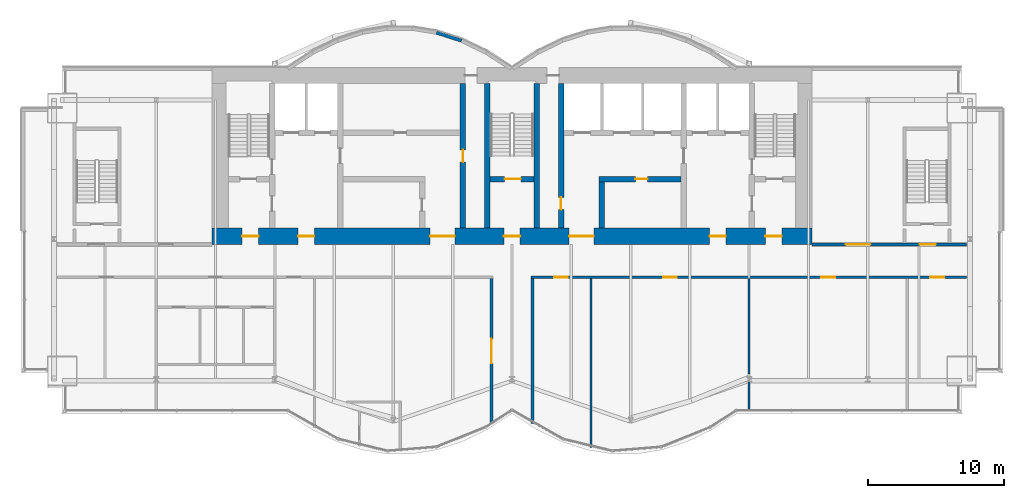
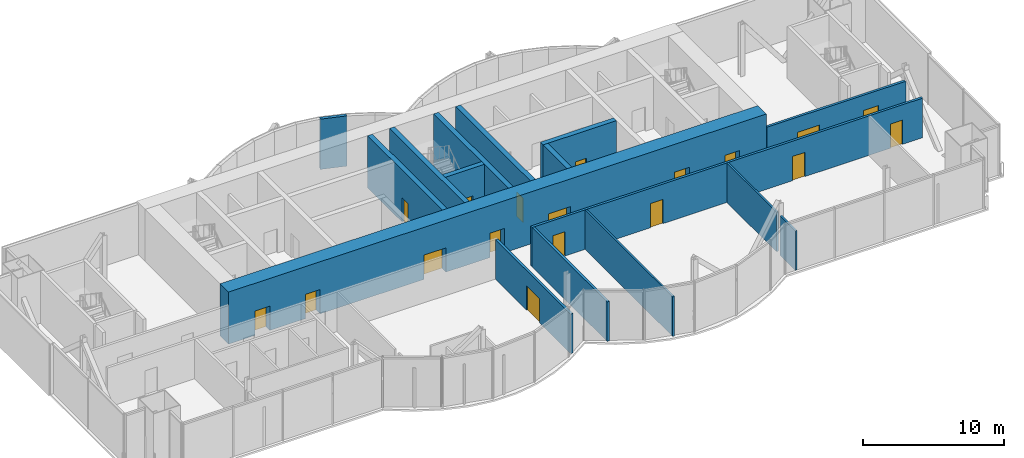
# One storey, part 11 of 16: 18 doors, 16 walls, 18 openings.
"""IFC4 building model written with IfcOpenShell, lengths in metres."""

from ifc_helpers import new_model, si_unit, direction, frame, frame_2d, origin, place, context, subcontext, project, spatial, rectangle, extrude, material, layer, layer_set, layer_usage, type_object, element, fill, save


model = new_model("IFC4")

# Units and contexts
model_context = context("Model", 3, precision=1e-05, world=origin(), true_north=direction((0.0, 1.0)))
body_context = subcontext(model_context, "Body", "Model", "MODEL_VIEW")
ifc_project = project(units=[si_unit("LENGTHUNIT", "METRE"), si_unit("AREAUNIT", "SQUARE_METRE"), si_unit("VOLUMEUNIT", "CUBIC_METRE"), si_unit("PLANEANGLEUNIT", "RADIAN"), si_unit("MASSUNIT", "GRAM", prefix="KILO")], contexts=[model_context])

# Site, building, storey
site_placement = place(None, origin())
site = spatial("IfcSite", under=ifc_project, at=site_placement, CompositionType="ELEMENT")
building_placement = place(site_placement, origin())
building = spatial("IfcBuilding", under=site, at=building_placement, Name="Bicima Exchange Tower", CompositionType="ELEMENT")
storey_placement = place(building_placement, frame((0.0, 0.0, 329.0)))
storey = spatial("IfcBuildingStorey", under=building, at=storey_placement, Name="L74", CompositionType="ELEMENT", Elevation=329.0)

# Wall, openings, doors
ifc_material_1 = material(Name="Gypsum board partition")
ifc_layer_1 = layer(ifc_material_1, 0.199951171875)
ifc_layer_set_1 = layer_set([ifc_layer_1], Name="Gypsum board partition")
wall_type_1 = type_object("IfcWallType", Name="Fire-rated gypsum partition 200 EI60", PredefinedType="PARTITIONING", material=ifc_layer_set_1)
wall_1_placement = place(storey_placement, frame((1.39990234375, -15.39990234375, 0.0), z_axis=(0.0, 0.0, 1.0), x_axis=(1.0, 0.0, 0.0)))
wall_1 = element("IfcWall", 1, at=wall_1_placement, inside=storey, type_object=wall_type_1, Name="partition wall 5", PredefinedType="PARTITIONING", context=body_context, shape_type="SweptSolid", body=[
    extrude(rectangle(XDim=31.940185546875, YDim=0.199951171875, at=frame_2d((15.97021484375, 0.0))), origin(), (0.0, 0.0, 1.0), 3.418212890625),
])
opening_1_placement = place(wall_1_placement, frame((1.699951171875, 0.0, 0.0)))
opening_1 = element("IfcOpeningElement", 2, at=opening_1_placement, cuts=wall_1, Name="Opening L74-014", PredefinedType="OPENING", context=body_context, shape_type="SweptSolid", body=[
    extrude(rectangle(XDim=1.0, YDim=2.10009765625, at=frame_2d((0.5, 1.050048828125))), frame((0.0, 0.11181640625, 0.0), z_axis=(0.0, -1.0, 0.0), x_axis=(1.0, 0.0, 0.0)), (0.0, 0.0, 1.0), 0.223876953125),
])
opening_2_placement = place(wall_1_placement, frame((9.699951171875, 0.0, 0.0)))
opening_2 = element("IfcOpeningElement", 3, at=opening_2_placement, cuts=wall_1, Name="Opening L74-015", PredefinedType="OPENING", context=body_context, shape_type="SweptSolid", body=[
    extrude(rectangle(XDim=1.0, YDim=2.10009765625, at=frame_2d((0.5, 1.050048828125))), frame((0.0, 0.11181640625, 0.0), z_axis=(0.0, -1.0, 0.0), x_axis=(1.0, 0.0, 0.0)), (0.0, 0.0, 1.0), 0.223876953125),
])
opening_3_placement = place(wall_1_placement, frame((21.300048828125, 0.0, 0.0)))
opening_3 = element("IfcOpeningElement", 4, at=opening_3_placement, cuts=wall_1, Name="Opening L74-016", PredefinedType="OPENING", context=body_context, shape_type="SweptSolid", body=[
    extrude(rectangle(XDim=1.0, YDim=2.10009765625, at=frame_2d((0.5, 1.050048828125))), frame((0.0, 0.11181640625, 0.0), z_axis=(0.0, -1.0, 0.0), x_axis=(1.0, 0.0, 0.0)), (0.0, 0.0, 1.0), 0.223876953125),
])
opening_4_placement = place(wall_1_placement, frame((29.300048828125, 0.0, 0.0)))
opening_4 = element("IfcOpeningElement", 5, at=opening_4_placement, cuts=wall_1, Name="Opening L74-017", PredefinedType="OPENING", context=body_context, shape_type="SweptSolid", body=[
    extrude(rectangle(XDim=1.0, YDim=2.10009765625, at=frame_2d((0.5, 1.050048828125))), frame((0.0, 0.11181640625, 0.0), z_axis=(0.0, -1.0, 0.0), x_axis=(1.0, 0.0, 0.0)), (0.0, 0.0, 1.0), 0.223876953125),
])
ifc_material_2 = material(Name="Steel fire door leaf", Category="steel")
door_type_1 = type_object("IfcDoorType", Name="Door 1000 swing FD30S", OperationType="SINGLE_SWING_LEFT", PredefinedType="DOOR", material=ifc_material_2)
door_1_placement = place(opening_1_placement, frame((1.0, 0.0, 0.0), z_axis=(0.0, 0.0, 1.0), x_axis=(-1.0, 0.0, 0.0)))
door_1 = element("IfcDoor", 6, at=door_1_placement, inside=storey, type_object=door_type_1, Name="Door", OperationType="SINGLE_SWING_RIGHT", OverallHeight=2.10009765625, OverallWidth=1.0, PredefinedType="DOOR", context=body_context, shape_type="SweptSolid", body=[
    extrude(rectangle(XDim=1.0, YDim=2.10009765625, at=frame_2d((0.5, 1.050048828125))), frame((0.0, 0.02490234375, 0.0), z_axis=(0.0, -1.0, 0.0), x_axis=(1.0, 0.0, 0.0)), (0.0, 0.0, 1.0), 0.050048828125),
])
fill(opening_1, door_1)
door_2_placement = place(opening_2_placement, frame((1.0, 0.0, 0.0), z_axis=(0.0, 0.0, 1.0), x_axis=(-1.0, 0.0, 0.0)))
door_2 = element("IfcDoor", 7, at=door_2_placement, inside=storey, type_object=door_type_1, Name="Door", OperationType="SINGLE_SWING_RIGHT", OverallHeight=2.10009765625, OverallWidth=1.0, PredefinedType="DOOR", context=body_context, shape_type="SweptSolid", body=[
    extrude(rectangle(XDim=1.0, YDim=2.10009765625, at=frame_2d((0.5, 1.050048828125))), frame((0.0, 0.02490234375, 0.0), z_axis=(0.0, -1.0, 0.0), x_axis=(1.0, 0.0, 0.0)), (0.0, 0.0, 1.0), 0.050048828125),
])
fill(opening_2, door_2)
door_3_placement = place(opening_3_placement, frame((1.0, 0.0, 0.0), z_axis=(0.0, 0.0, 1.0), x_axis=(-1.0, 0.0, 0.0)))
door_3 = element("IfcDoor", 8, at=door_3_placement, inside=storey, type_object=door_type_1, Name="Door", OperationType="SINGLE_SWING_LEFT", OverallHeight=2.10009765625, OverallWidth=1.0, PredefinedType="DOOR", context=body_context, shape_type="SweptSolid", body=[
    extrude(rectangle(XDim=1.0, YDim=2.10009765625, at=frame_2d((0.5, 1.050048828125))), frame((0.0, 0.02490234375, 0.0), z_axis=(0.0, -1.0, 0.0), x_axis=(1.0, 0.0, 0.0)), (0.0, 0.0, 1.0), 0.050048828125),
])
fill(opening_3, door_3)
door_4_placement = place(opening_4_placement, frame((1.0, 0.0, 0.0), z_axis=(0.0, 0.0, 1.0), x_axis=(-1.0, 0.0, 0.0)))
door_4 = element("IfcDoor", 9, at=door_4_placement, inside=storey, type_object=door_type_1, Name="Door", OperationType="SINGLE_SWING_RIGHT", OverallHeight=2.10009765625, OverallWidth=1.0, PredefinedType="DOOR", context=body_context, shape_type="SweptSolid", body=[
    extrude(rectangle(XDim=1.0, YDim=2.10009765625, at=frame_2d((0.5, 1.050048828125))), frame((0.0, 0.02490234375, 0.0), z_axis=(0.0, -1.0, 0.0), x_axis=(1.0, 0.0, 0.0)), (0.0, 0.0, 1.0), 0.050048828125),
])
fill(opening_4, door_4)

wall_2_placement = place(storey_placement, frame((22.0, -13.0, 0.0), z_axis=(0.0, 0.0, 1.0), x_axis=(1.0, 0.0, 0.0)))
wall_2 = element("IfcWall", 10, at=wall_2_placement, inside=storey, type_object=wall_type_1, Name="partition wall 7", PredefinedType="PARTITIONING", context=body_context, shape_type="SweptSolid", body=[
    extrude(rectangle(XDim=11.340087890625, YDim=0.199951171875, at=frame_2d((5.669921875, 0.0))), origin(), (0.0, 0.0, 1.0), 3.418212890625),
])
opening_5_placement = place(wall_2_placement, frame((7.89990234375, 0.0, 0.0)))
opening_5 = element("IfcOpeningElement", 11, at=opening_5_placement, cuts=wall_2, Name="Opening L74-003", PredefinedType="OPENING", context=body_context, shape_type="SweptSolid", body=[
    extrude(rectangle(XDim=1.199951171875, YDim=2.10009765625, at=frame_2d((0.60009765625, 1.050048828125))), frame((0.0, 0.11181640625, 0.0), z_axis=(0.0, -1.0, 0.0), x_axis=(1.0, 0.0, 0.0)), (0.0, 0.0, 1.0), 0.223876953125),
])
opening_6_placement = place(wall_2_placement, frame((2.5, 0.0, 0.0)))
opening_6 = element("IfcOpeningElement", 12, at=opening_6_placement, cuts=wall_2, Name="Opening L74-006", PredefinedType="OPENING", context=body_context, shape_type="SweptSolid", body=[
    extrude(rectangle(XDim=1.800048828125, YDim=2.10009765625, at=frame_2d((0.89990234375, 1.050048828125))), frame((0.0, 0.11181640625, 0.0), z_axis=(0.0, -1.0, 0.0), x_axis=(1.0, 0.0, 0.0)), (0.0, 0.0, 1.0), 0.223876953125),
])
door_type_2 = type_object("IfcDoorType", Name="Door 1200 swing FD30S", OperationType="SINGLE_SWING_LEFT", PredefinedType="DOOR", material=ifc_material_2)
door_5_placement = place(opening_5_placement, origin())
door_5 = element("IfcDoor", 13, at=door_5_placement, inside=storey, type_object=door_type_2, Name="Door", OperationType="SINGLE_SWING_RIGHT", OverallHeight=2.10009765625, OverallWidth=1.199951171875, PredefinedType="DOOR", context=body_context, shape_type="SweptSolid", body=[
    extrude(rectangle(XDim=1.199951171875, YDim=2.10009765625, at=frame_2d((0.60009765625, 1.050048828125))), frame((0.0, 0.02490234375, 0.0), z_axis=(0.0, -1.0, 0.0), x_axis=(1.0, 0.0, 0.0)), (0.0, 0.0, 1.0), 0.050048828125),
])
fill(opening_5, door_5)
door_type_3 = type_object("IfcDoorType", Name="Door 1800 double swing FD30S", OperationType="DOUBLE_DOOR_SINGLE_SWING", PredefinedType="DOOR", material=ifc_material_2)
door_6_placement = place(opening_6_placement, origin())
door_6 = element("IfcDoor", 14, at=door_6_placement, inside=storey, type_object=door_type_3, Name="Door", OperationType="SINGLE_SWING_LEFT", OverallHeight=2.10009765625, OverallWidth=1.800048828125, PredefinedType="DOOR", context=body_context, shape_type="SweptSolid", body=[
    extrude(rectangle(XDim=1.800048828125, YDim=2.10009765625, at=frame_2d((0.89990234375, 1.050048828125))), frame((0.0, 0.02490234375, 0.0), z_axis=(0.0, -1.0, 0.0), x_axis=(1.0, 0.0, 0.0)), (0.0, 0.0, 1.0), 0.050048828125),
])
fill(opening_6, door_6)

# Wall, opening, door
wall_3_placement = place(storey_placement, frame((-1.5, -26.1298828125, 0.0), z_axis=(0.0, 0.0, 1.0), x_axis=(0.0, 1.0, 0.0)))
wall_3 = element("IfcWall", 15, at=wall_3_placement, inside=storey, type_object=wall_type_1, Name="partition wall 22", PredefinedType="PARTITIONING", context=body_context, shape_type="SweptSolid", body=[
    extrude(rectangle(XDim=10.6298828125, YDim=0.199951171875, at=frame_2d((5.31494140625, 0.0))), origin(), (0.0, 0.0, 1.0), 3.418212890625),
])
opening_7_placement = place(wall_3_placement, frame((4.39990234375, 0.0, 0.0)))
opening_7 = element("IfcOpeningElement", 16, at=opening_7_placement, cuts=wall_3, Name="Opening L74-013", PredefinedType="OPENING", context=body_context, shape_type="SweptSolid", body=[
    extrude(rectangle(XDim=1.800048828125, YDim=2.10009765625, at=frame_2d((0.89990234375, 1.050048828125))), frame((0.0, 0.11181640625, 0.0), z_axis=(0.0, -1.0, 0.0), x_axis=(1.0, 0.0, 0.0)), (0.0, 0.0, 1.0), 0.223876953125),
])
door_7_placement = place(opening_7_placement, origin())
door_7 = element("IfcDoor", 17, at=door_7_placement, inside=storey, type_object=door_type_3, Name="Door", OperationType="SINGLE_SWING_LEFT", OverallHeight=2.10009765625, OverallWidth=1.800048828125, PredefinedType="DOOR", context=body_context, shape_type="SweptSolid", body=[
    extrude(rectangle(XDim=1.800048828125, YDim=2.10009765625, at=frame_2d((0.89990234375, 1.050048828125))), frame((0.0, 0.02490234375, 0.0), z_axis=(0.0, -1.0, 0.0), x_axis=(1.0, 0.0, 0.0)), (0.0, 0.0, 1.0), 0.050048828125),
])
fill(opening_7, door_7)

# Walls
wall_4_placement = place(storey_placement, frame((1.5, -26.1298828125, 0.0), z_axis=(0.0, 0.0, 1.0), x_axis=(0.0, 1.0, 0.0)))
element("IfcWall", 18, at=wall_4_placement, inside=storey, type_object=wall_type_1, Name="partition wall 23", PredefinedType="PARTITIONING", context=body_context, shape_type="SweptSolid", body=[
    extrude(rectangle(XDim=10.6298828125, YDim=0.199951171875, at=frame_2d((5.31494140625, 0.0))), origin(), (0.0, 0.0, 1.0), 3.418212890625),
])
ifc_layer_2 = layer(ifc_material_1, 0.14990234375)
ifc_layer_set_2 = layer_set([ifc_layer_2], Name="Gypsum board partition")
wall_type_2 = type_object("IfcWallType", Name="Gypsum partition 150", PredefinedType="PARTITIONING", material=ifc_layer_set_2)
wall_5_placement = place(storey_placement, frame((5.800048828125, -27.909912109375, 0.0), z_axis=(0.0, 0.0, 1.0), x_axis=(0.0, 1.0, 0.0)))
element("IfcWall", 19, at=wall_5_placement, inside=storey, type_object=wall_type_2, Name="partition wall 24", PredefinedType="PARTITIONING", context=body_context, shape_type="SweptSolid", body=[
    extrude(rectangle(XDim=12.409912109375, YDim=0.14990234375, at=frame_2d((6.205078125, 0.0))), origin(), (0.0, 0.0, 1.0), 3.418212890625),
])
wall_6_placement = place(storey_placement, frame((17.39990234375, -25.199951171875, 0.0), z_axis=(0.0, 0.0, 1.0), x_axis=(0.0, 1.0, 0.0)))
element("IfcWall", 20, at=wall_6_placement, inside=storey, type_object=wall_type_2, Name="partition wall 25", PredefinedType="PARTITIONING", context=body_context, shape_type="SweptSolid", body=[
    extrude(rectangle(XDim=2.192138671875, YDim=0.14990234375, at=frame_2d((1.09619140625, 0.0))), origin(), (0.0, 0.0, 1.0), 3.418212890625),
])
wall_7_placement = place(storey_placement, frame((17.39990234375, -22.52001953125, 0.0), z_axis=(0.0, 0.0, 1.0), x_axis=(0.0, 1.0, 0.0)))
element("IfcWall", 21, at=wall_7_placement, inside=storey, type_object=wall_type_2, Name="partition wall 26", PredefinedType="PARTITIONING", context=body_context, shape_type="SweptSolid", body=[
    extrude(rectangle(XDim=7.02001953125, YDim=0.14990234375, at=frame_2d((3.510009765625, 0.0))), origin(), (0.0, 0.0, 1.0), 3.418212890625),
])

# Wall, openings, doors
ifc_material_3 = material(Name="Concrete C40/50", Category="concrete")
ifc_layer_3 = layer(ifc_material_3, 1.199951171875)
ifc_layer_set_3 = layer_set([ifc_layer_3], Name="Concrete C40/50")
wall_type_3 = type_object("IfcWallType", Name="RC core wall 1200 C40/50", PredefinedType="SHEAR", material=ifc_layer_set_3)
wall_8_placement = place(storey_placement, frame((-22.0, -12.39990234375, 0.0), z_axis=(0.0, 0.0, 1.0), x_axis=(1.0, 0.0, 0.0)))
wall_8 = element("IfcWall", 22, at=wall_8_placement, inside=storey, type_object=wall_type_3, Name="Core wall south", PredefinedType="SHEAR", context=body_context, shape_type="SweptSolid", body=[
    extrude(rectangle(XDim=44.0, YDim=1.199951171875, at=frame_2d((22.0, 0.0))), origin(), (0.0, 0.0, 1.0), 4.5),
])
opening_8_placement = place(wall_8_placement, frame((2.199951171875, 0.0, 0.0)))
opening_8 = element("IfcOpeningElement", 23, at=opening_8_placement, cuts=wall_8, Name="Opening L74-C17", PredefinedType="OPENING", context=body_context, shape_type="SweptSolid", body=[
    extrude(rectangle(XDim=1.199951171875, YDim=2.10009765625, at=frame_2d((0.60009765625, 1.050048828125))), frame((0.0, 0.61181640625, 0.0), z_axis=(0.0, -1.0, 0.0), x_axis=(1.0, 0.0, 0.0)), (0.0, 0.0, 1.0), 1.223876953125),
])
opening_9_placement = place(wall_8_placement, frame((21.39990234375, 0.0, 0.0)))
opening_9 = element("IfcOpeningElement", 24, at=opening_9_placement, cuts=wall_8, Name="Opening L74-C18", PredefinedType="OPENING", context=body_context, shape_type="SweptSolid", body=[
    extrude(rectangle(XDim=1.199951171875, YDim=2.10009765625, at=frame_2d((0.60009765625, 1.050048828125))), frame((0.0, 0.61181640625, 0.0), z_axis=(0.0, -1.0, 0.0), x_axis=(1.0, 0.0, 0.0)), (0.0, 0.0, 1.0), 1.223876953125),
])
opening_10_placement = place(wall_8_placement, frame((40.60009765625, 0.0, 0.0)))
opening_10 = element("IfcOpeningElement", 25, at=opening_10_placement, cuts=wall_8, Name="Opening L74-C19", PredefinedType="OPENING", context=body_context, shape_type="SweptSolid", body=[
    extrude(rectangle(XDim=1.199951171875, YDim=2.10009765625, at=frame_2d((0.60009765625, 1.050048828125))), frame((0.0, 0.61181640625, 0.0), z_axis=(0.0, -1.0, 0.0), x_axis=(1.0, 0.0, 0.0)), (0.0, 0.0, 1.0), 1.223876953125),
])
opening_11_placement = place(wall_8_placement, frame((16.0, 0.0, 0.0)))
opening_11 = element("IfcOpeningElement", 26, at=opening_11_placement, cuts=wall_8, Name="Opening L74-C20", PredefinedType="OPENING", context=body_context, shape_type="SweptSolid", body=[
    extrude(rectangle(XDim=1.800048828125, YDim=2.10009765625, at=frame_2d((0.89990234375, 1.050048828125))), frame((0.0, 0.61181640625, 0.0), z_axis=(0.0, -1.0, 0.0), x_axis=(1.0, 0.0, 0.0)), (0.0, 0.0, 1.0), 1.223876953125),
])
opening_12_placement = place(wall_8_placement, frame((6.300048828125, 0.0, 0.0)))
opening_12 = element("IfcOpeningElement", 27, at=opening_12_placement, cuts=wall_8, Name="Opening L74-C21", PredefinedType="OPENING", context=body_context, shape_type="SweptSolid", body=[
    extrude(rectangle(XDim=1.199951171875, YDim=2.10009765625, at=frame_2d((0.60009765625, 1.050048828125))), frame((0.0, 0.61181640625, 0.0), z_axis=(0.0, -1.0, 0.0), x_axis=(1.0, 0.0, 0.0)), (0.0, 0.0, 1.0), 1.223876953125),
])
opening_13_placement = place(wall_8_placement, frame((26.199951171875, 0.0, 0.0)))
opening_13 = element("IfcOpeningElement", 28, at=opening_13_placement, cuts=wall_8, Name="Opening L74-C22", PredefinedType="OPENING", context=body_context, shape_type="SweptSolid", body=[
    extrude(rectangle(XDim=1.800048828125, YDim=2.10009765625, at=frame_2d((0.89990234375, 1.050048828125))), frame((0.0, 0.61181640625, 0.0), z_axis=(0.0, -1.0, 0.0), x_axis=(1.0, 0.0, 0.0)), (0.0, 0.0, 1.0), 1.223876953125),
])
opening_14_placement = place(wall_8_placement, frame((36.5, 0.0, 0.0)))
opening_14 = element("IfcOpeningElement", 29, at=opening_14_placement, cuts=wall_8, Name="Opening L74-C23", PredefinedType="OPENING", context=body_context, shape_type="SweptSolid", body=[
    extrude(rectangle(XDim=1.199951171875, YDim=2.10009765625, at=frame_2d((0.60009765625, 1.050048828125))), frame((0.0, 0.61181640625, 0.0), z_axis=(0.0, -1.0, 0.0), x_axis=(1.0, 0.0, 0.0)), (0.0, 0.0, 1.0), 1.223876953125),
])
door_type_4 = type_object("IfcDoorType", Name="Door 1200 swing FD60S", OperationType="SINGLE_SWING_LEFT", PredefinedType="DOOR", material=ifc_material_2)
door_8_placement = place(opening_8_placement, frame((1.199951171875, 0.0, 0.0), z_axis=(0.0, 0.0, 1.0), x_axis=(-1.0, 0.0, 0.0)))
door_8 = element("IfcDoor", 30, at=door_8_placement, inside=storey, type_object=door_type_4, Name="Core door", OperationType="SINGLE_SWING_RIGHT", OverallHeight=2.10009765625, OverallWidth=1.199951171875, PredefinedType="DOOR", context=body_context, shape_type="SweptSolid", body=[
    extrude(rectangle(XDim=1.199951171875, YDim=2.10009765625, at=frame_2d((0.60009765625, 1.050048828125))), frame((0.0, 0.02490234375, 0.0), z_axis=(0.0, -1.0, 0.0), x_axis=(1.0, 0.0, 0.0)), (0.0, 0.0, 1.0), 0.050048828125),
])
fill(opening_8, door_8)
door_9_placement = place(opening_9_placement, frame((1.199951171875, 0.0, 0.0), z_axis=(0.0, 0.0, 1.0), x_axis=(-1.0, 0.0, 0.0)))
door_9 = element("IfcDoor", 31, at=door_9_placement, inside=storey, type_object=door_type_4, Name="Core door", OperationType="SINGLE_SWING_RIGHT", OverallHeight=2.10009765625, OverallWidth=1.199951171875, PredefinedType="DOOR", context=body_context, shape_type="SweptSolid", body=[
    extrude(rectangle(XDim=1.199951171875, YDim=2.10009765625, at=frame_2d((0.60009765625, 1.050048828125))), frame((0.0, 0.02490234375, 0.0), z_axis=(0.0, -1.0, 0.0), x_axis=(1.0, 0.0, 0.0)), (0.0, 0.0, 1.0), 0.050048828125),
])
fill(opening_9, door_9)
door_10_placement = place(opening_10_placement, frame((1.199951171875, 0.0, 0.0), z_axis=(0.0, 0.0, 1.0), x_axis=(-1.0, 0.0, 0.0)))
door_10 = element("IfcDoor", 32, at=door_10_placement, inside=storey, type_object=door_type_4, Name="Core door", OperationType="SINGLE_SWING_RIGHT", OverallHeight=2.10009765625, OverallWidth=1.199951171875, PredefinedType="DOOR", context=body_context, shape_type="SweptSolid", body=[
    extrude(rectangle(XDim=1.199951171875, YDim=2.10009765625, at=frame_2d((0.60009765625, 1.050048828125))), frame((0.0, 0.02490234375, 0.0), z_axis=(0.0, -1.0, 0.0), x_axis=(1.0, 0.0, 0.0)), (0.0, 0.0, 1.0), 0.050048828125),
])
fill(opening_10, door_10)
door_11_placement = place(opening_12_placement, frame((1.199951171875, 0.0, 0.0), z_axis=(0.0, 0.0, 1.0), x_axis=(-1.0, 0.0, 0.0)))
door_11 = element("IfcDoor", 33, at=door_11_placement, inside=storey, type_object=door_type_4, Name="Core door", OperationType="SINGLE_SWING_RIGHT", OverallHeight=2.10009765625, OverallWidth=1.199951171875, PredefinedType="DOOR", context=body_context, shape_type="SweptSolid", body=[
    extrude(rectangle(XDim=1.199951171875, YDim=2.10009765625, at=frame_2d((0.60009765625, 1.050048828125))), frame((0.0, 0.02490234375, 0.0), z_axis=(0.0, -1.0, 0.0), x_axis=(1.0, 0.0, 0.0)), (0.0, 0.0, 1.0), 0.050048828125),
])
fill(opening_12, door_11)
door_12_placement = place(opening_14_placement, frame((1.199951171875, 0.0, 0.0), z_axis=(0.0, 0.0, 1.0), x_axis=(-1.0, 0.0, 0.0)))
door_12 = element("IfcDoor", 34, at=door_12_placement, inside=storey, type_object=door_type_4, Name="Core door", OperationType="SINGLE_SWING_RIGHT", OverallHeight=2.10009765625, OverallWidth=1.199951171875, PredefinedType="DOOR", context=body_context, shape_type="SweptSolid", body=[
    extrude(rectangle(XDim=1.199951171875, YDim=2.10009765625, at=frame_2d((0.60009765625, 1.050048828125))), frame((0.0, 0.02490234375, 0.0), z_axis=(0.0, -1.0, 0.0), x_axis=(1.0, 0.0, 0.0)), (0.0, 0.0, 1.0), 0.050048828125),
])
fill(opening_14, door_12)
door_13_placement = place(opening_11_placement, origin())
door_13 = element("IfcDoor", 35, at=door_13_placement, inside=storey, type_object=door_type_3, Name="Core door", OperationType="SINGLE_SWING_LEFT", OverallHeight=2.10009765625, OverallWidth=1.800048828125, PredefinedType="DOOR", context=body_context, shape_type="SweptSolid", body=[
    extrude(rectangle(XDim=1.800048828125, YDim=2.10009765625, at=frame_2d((0.89990234375, 1.050048828125))), frame((0.0, 0.02490234375, 0.0), z_axis=(0.0, -1.0, 0.0), x_axis=(1.0, 0.0, 0.0)), (0.0, 0.0, 1.0), 0.050048828125),
])
fill(opening_11, door_13)
door_14_placement = place(opening_13_placement, origin())
door_14 = element("IfcDoor", 36, at=door_14_placement, inside=storey, type_object=door_type_3, Name="Core door", OperationType="SINGLE_SWING_LEFT", OverallHeight=2.10009765625, OverallWidth=1.800048828125, PredefinedType="DOOR", context=body_context, shape_type="SweptSolid", body=[
    extrude(rectangle(XDim=1.800048828125, YDim=2.10009765625, at=frame_2d((0.89990234375, 1.050048828125))), frame((0.0, 0.02490234375, 0.0), z_axis=(0.0, -1.0, 0.0), x_axis=(1.0, 0.0, 0.0)), (0.0, 0.0, 1.0), 0.050048828125),
])
fill(opening_13, door_14)

# Wall, opening, door
ifc_layer_4 = layer(ifc_material_3, 0.39990234375)
ifc_layer_set_4 = layer_set([ifc_layer_4], Name="Concrete C40/50")
wall_type_4 = type_object("IfcWallType", Name="RC core wall 400 C40/50", PredefinedType="SHEAR", material=ifc_layer_set_4)
wall_9_placement = place(storey_placement, frame((6.39990234375, -8.199951171875, 0.0), z_axis=(0.0, 0.0, 1.0), x_axis=(1.0, 0.0, 0.0)))
wall_9 = element("IfcWall", 37, at=wall_9_placement, inside=storey, type_object=wall_type_4, Name="shear wall 4", PredefinedType="SHEAR", context=body_context, shape_type="SweptSolid", body=[
    extrude(rectangle(XDim=6.0, YDim=0.39990234375, at=frame_2d((3.0, 0.0))), origin(), (0.0, 0.0, 1.0), 4.5),
])
opening_15_placement = place(wall_9_placement, frame((2.64990234375, 0.0, 0.0)))
opening_15 = element("IfcOpeningElement", 38, at=opening_15_placement, cuts=wall_9, Name="Opening L74-C14", PredefinedType="OPENING", context=body_context, shape_type="SweptSolid", body=[
    extrude(rectangle(XDim=0.89990234375, YDim=2.10009765625, at=frame_2d((0.449951171875, 1.050048828125))), frame((0.0, 0.2119140625, 0.0), z_axis=(0.0, -1.0, 0.0), x_axis=(1.0, 0.0, 0.0)), (0.0, 0.0, 1.0), 0.423828125),
])
door_type_5 = type_object("IfcDoorType", Name="Door 900 swing FD30S", OperationType="SINGLE_SWING_LEFT", PredefinedType="DOOR", material=ifc_material_2)
door_15_placement = place(opening_15_placement, frame((0.89990234375, 0.0, 0.0), z_axis=(0.0, 0.0, 1.0), x_axis=(-1.0, 0.0, 0.0)))
door_15 = element("IfcDoor", 39, at=door_15_placement, inside=storey, type_object=door_type_5, Name="Core door", OperationType="SINGLE_SWING_LEFT", OverallHeight=2.10009765625, OverallWidth=0.89990234375, PredefinedType="DOOR", context=body_context, shape_type="SweptSolid", body=[
    extrude(rectangle(XDim=0.89990234375, YDim=2.10009765625, at=frame_2d((0.449951171875, 1.050048828125))), frame((0.0, 0.02490234375, 0.0), z_axis=(0.0, -1.0, 0.0), x_axis=(1.0, 0.0, 0.0)), (0.0, 0.0, 1.0), 0.050048828125),
])
fill(opening_15, door_15)

wall_10_placement = place(storey_placement, frame((-3.60009765625, -11.800048828125, 0.0), z_axis=(0.0, 0.0, 1.0), x_axis=(0.0, 1.0, 0.0)))
wall_10 = element("IfcWall", 40, at=wall_10_placement, inside=storey, type_object=wall_type_4, Name="shear wall 12", PredefinedType="SHEAR", context=body_context, shape_type="SweptSolid", body=[
    extrude(rectangle(XDim=10.60009765625, YDim=0.39990234375, at=frame_2d((5.300048828125, 0.0))), origin(), (0.0, 0.0, 1.0), 4.5),
])
opening_16_placement = place(wall_10_placement, frame((4.85009765625, 0.0, 0.0)))
opening_16 = element("IfcOpeningElement", 41, at=opening_16_placement, cuts=wall_10, Name="Opening L74-C10", PredefinedType="OPENING", context=body_context, shape_type="SweptSolid", body=[
    extrude(rectangle(XDim=0.89990234375, YDim=2.10009765625, at=frame_2d((0.449951171875, 1.050048828125))), frame((0.0, 0.2119140625, 0.0), z_axis=(0.0, -1.0, 0.0), x_axis=(1.0, 0.0, 0.0)), (0.0, 0.0, 1.0), 0.423828125),
])
door_16_placement = place(opening_16_placement, frame((0.89990234375, 0.0, 0.0), z_axis=(0.0, 0.0, 1.0), x_axis=(-1.0, 0.0, 0.0)))
door_16 = element("IfcDoor", 42, at=door_16_placement, inside=storey, type_object=door_type_5, Name="Core door", OperationType="SINGLE_SWING_LEFT", OverallHeight=2.10009765625, OverallWidth=0.89990234375, PredefinedType="DOOR", context=body_context, shape_type="SweptSolid", body=[
    extrude(rectangle(XDim=0.89990234375, YDim=2.10009765625, at=frame_2d((0.449951171875, 1.050048828125))), frame((0.0, 0.02490234375, 0.0), z_axis=(0.0, -1.0, 0.0), x_axis=(1.0, 0.0, 0.0)), (0.0, 0.0, 1.0), 0.050048828125),
])
fill(opening_16, door_16)

wall_11_placement = place(storey_placement, frame((3.60009765625, -11.800048828125, 0.0), z_axis=(0.0, 0.0, 1.0), x_axis=(0.0, 1.0, 0.0)))
wall_11 = element("IfcWall", 43, at=wall_11_placement, inside=storey, type_object=wall_type_4, Name="shear wall 15", PredefinedType="SHEAR", context=body_context, shape_type="SweptSolid", body=[
    extrude(rectangle(XDim=10.60009765625, YDim=0.39990234375, at=frame_2d((5.300048828125, 0.0))), origin(), (0.0, 0.0, 1.0), 4.5),
])
opening_17_placement = place(wall_11_placement, frame((1.35009765625, 0.0, 0.0)))
opening_17 = element("IfcOpeningElement", 44, at=opening_17_placement, cuts=wall_11, Name="Opening L74-C11", PredefinedType="OPENING", context=body_context, shape_type="SweptSolid", body=[
    extrude(rectangle(XDim=0.89990234375, YDim=2.10009765625, at=frame_2d((0.449951171875, 1.050048828125))), frame((0.0, 0.2119140625, 0.0), z_axis=(0.0, -1.0, 0.0), x_axis=(1.0, 0.0, 0.0)), (0.0, 0.0, 1.0), 0.423828125),
])
door_17_placement = place(opening_17_placement, origin())
door_17 = element("IfcDoor", 45, at=door_17_placement, inside=storey, type_object=door_type_5, Name="Core door", OperationType="SINGLE_SWING_LEFT", OverallHeight=2.10009765625, OverallWidth=0.89990234375, PredefinedType="DOOR", context=body_context, shape_type="SweptSolid", body=[
    extrude(rectangle(XDim=0.89990234375, YDim=2.10009765625, at=frame_2d((0.449951171875, 1.050048828125))), frame((0.0, 0.02490234375, 0.0), z_axis=(0.0, -1.0, 0.0), x_axis=(1.0, 0.0, 0.0)), (0.0, 0.0, 1.0), 0.050048828125),
])
fill(opening_17, door_17)

# Wall
wall_12_placement = place(storey_placement, frame((6.60009765625, -11.800048828125, 0.0), z_axis=(0.0, 0.0, 1.0), x_axis=(0.0, 1.0, 0.0)))
element("IfcWall", 46, at=wall_12_placement, inside=storey, type_object=wall_type_4, Name="shear wall 16", PredefinedType="SHEAR", context=body_context, shape_type="SweptSolid", body=[
    extrude(rectangle(XDim=3.400146484375, YDim=0.39990234375, at=frame_2d((1.7001953125, 0.0))), origin(), (0.0, 0.0, 1.0), 4.5),
])

# Wall, opening, door
ifc_material_4 = material(Name="Concrete C50/60", Category="concrete")
ifc_layer_5 = layer(ifc_material_4, 0.39990234375)
ifc_layer_set_5 = layer_set([ifc_layer_5], Name="Concrete C50/60")
wall_type_5 = type_object("IfcWallType", Name="RC core wall 400 C50/60", PredefinedType="SHEAR", material=ifc_layer_set_5)
wall_13_placement = place(storey_placement, frame((-1.60009765625, -8.199951171875, 0.0), z_axis=(0.0, 0.0, 1.0), x_axis=(1.0, 0.0, 0.0)))
wall_13 = element("IfcWall", 47, at=wall_13_placement, inside=storey, type_object=wall_type_5, Name="stair wall 3", PredefinedType="SHEAR", context=body_context, shape_type="SweptSolid", body=[
    extrude(rectangle(XDim=3.2001953125, YDim=0.39990234375, at=frame_2d((1.60009765625, 0.0))), origin(), (0.0, 0.0, 1.0), 4.5),
])
opening_18_placement = place(wall_13_placement, frame((1.050048828125, 0.0, 0.0)))
opening_18 = element("IfcOpeningElement", 48, at=opening_18_placement, cuts=wall_13, Name="Opening L74-C03", PredefinedType="OPENING", context=body_context, shape_type="SweptSolid", body=[
    extrude(rectangle(XDim=1.199951171875, YDim=2.10009765625, at=frame_2d((0.60009765625, 1.050048828125))), frame((0.0, 0.2119140625, 0.0), z_axis=(0.0, -1.0, 0.0), x_axis=(1.0, 0.0, 0.0)), (0.0, 0.0, 1.0), 0.423828125),
])
door_18_placement = place(opening_18_placement, origin())
door_18 = element("IfcDoor", 49, at=door_18_placement, inside=storey, type_object=door_type_4, Name="Core door", OperationType="SINGLE_SWING_LEFT", OverallHeight=2.10009765625, OverallWidth=1.199951171875, PredefinedType="DOOR", context=body_context, shape_type="SweptSolid", body=[
    extrude(rectangle(XDim=1.199951171875, YDim=2.10009765625, at=frame_2d((0.60009765625, 1.050048828125))), frame((0.0, 0.02490234375, 0.0), z_axis=(0.0, -1.0, 0.0), x_axis=(1.0, 0.0, 0.0)), (0.0, 0.0, 1.0), 0.050048828125),
])
fill(opening_18, door_18)

# Walls
for number, where, z_axis, x_axis, name in (
    (50, (-1.800048828125, -11.800048828125, 0.0), (0.0, 0.0, 1.0), (0.0, 1.0, 0.0), "stair wall 13"),
    (51, (1.800048828125, -11.800048828125, 0.0), (0.0, 0.0, 1.0), (0.0, 1.0, 0.0), "stair wall 14"),
):
    element("IfcWall", number, at=place(storey_placement, frame(where, z_axis=z_axis, x_axis=x_axis)), inside=storey, type_object=wall_type_5, Name=name, PredefinedType="SHEAR", context=body_context, shape_type="SweptSolid", body=[
        extrude(rectangle(XDim=10.60009765625, YDim=0.39990234375, at=frame_2d((5.300048828125, 0.0))), origin(), (0.0, 0.0, 1.0), 4.5),
    ])
ifc_layer_6 = layer(ifc_material_3, 0.25)
ifc_layer_set_6 = layer_set([ifc_layer_6], Name="Concrete C40/50")
ifc_layer_usage = layer_usage(ifc_layer_set_6, "AXIS2", "POSITIVE", -0.125)
wall_type_6 = type_object("IfcWallType", Name="Rear backup wall 250", PredefinedType="STANDARD", material=ifc_layer_set_6)
wall_14_placement = place(storey_placement, frame((-3.705078125, 1.955078125, 0.0), z_axis=(0.0, 0.0, 1.0), x_axis=(-0.951495806175, 0.307661714928, 0.0)))
element("IfcWall", 52, at=wall_14_placement, inside=storey, type_object=wall_type_6, material=ifc_layer_usage, Name="Rear backup wall L74 13", PredefinedType="STANDARD", context=body_context, shape_type="SweptSolid", body=[
    extrude(rectangle(XDim=1.9267578125, YDim=0.25, at=frame_2d((0.96337890625, 0.0))), origin(), (0.0, 0.0, 1.0), 4.35009765625),
])

save(model, "model.ifc")
